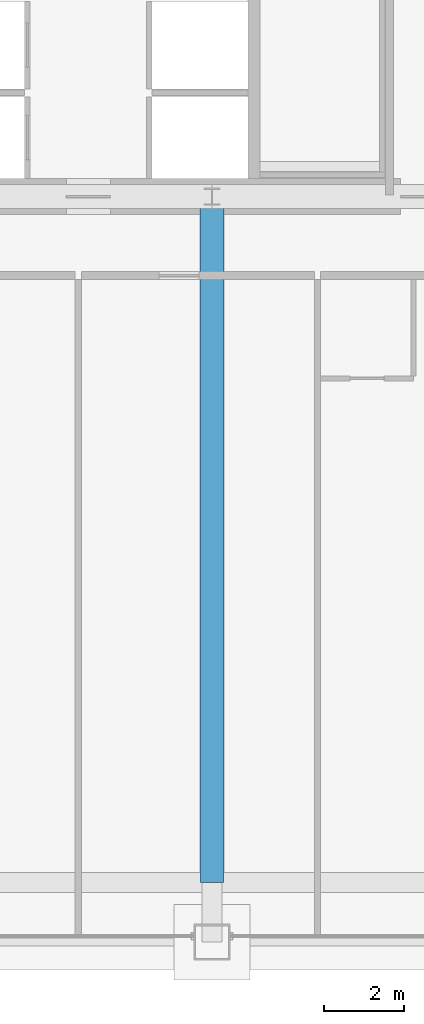
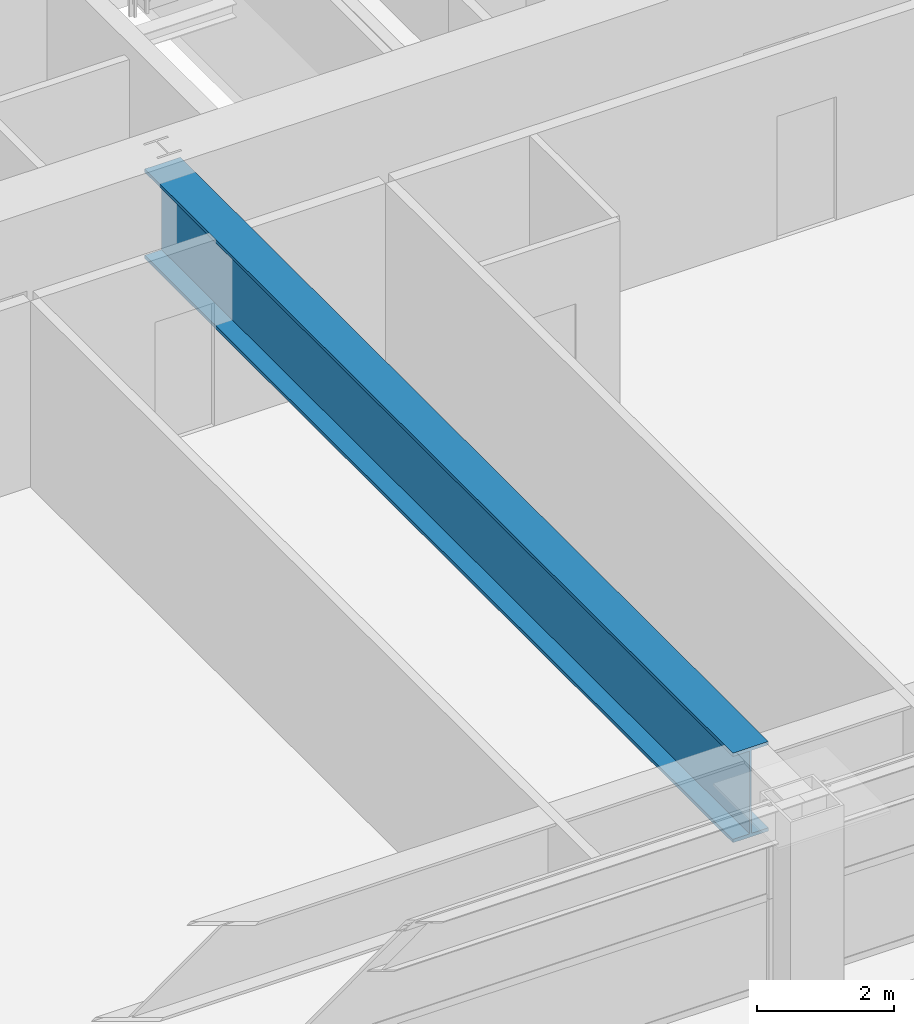
# One storey, part 8 of 44: 1 beam.
"""IFC4 building model written with IfcOpenShell, lengths in metres."""

from ifc_helpers import new_model, si_unit, direction, frame, origin, origin_2d, place, context, subcontext, project, spatial, i_section, extrude, source, transform, mapped, material, material_profile, profile_set, type_object, element, save


model = new_model("IFC4")

# Units and contexts
model_context = context("Model", 3, precision=1e-05, world=origin(), true_north=direction((0.0, 1.0)))
body_context = subcontext(model_context, "Body", "Model", "MODEL_VIEW")
ifc_project = project(units=[si_unit("LENGTHUNIT", "METRE"), si_unit("AREAUNIT", "SQUARE_METRE"), si_unit("VOLUMEUNIT", "CUBIC_METRE"), si_unit("PLANEANGLEUNIT", "RADIAN"), si_unit("MASSUNIT", "GRAM", prefix="KILO"), si_unit("THERMODYNAMICTEMPERATUREUNIT", "KELVIN"), si_unit("POWERUNIT", "WATT")], contexts=[model_context])

# Site, building, storey
site_placement = place(None, origin())
site = spatial("IfcSite", under=ifc_project, at=site_placement, CompositionType="ELEMENT")
building_placement = place(site_placement, origin())
building = spatial("IfcBuilding", under=site, at=building_placement, Name="Yuzanri Waterfront Tower", CompositionType="ELEMENT")
storey_placement = place(building_placement, frame((0.0, 0.0, 82.0)))
storey = spatial("IfcBuildingStorey", under=building, at=storey_placement, Name="L21", CompositionType="ELEMENT", Elevation=82.0)

# Beam
ifc_material = material(Name="Steel Q420GJC", Category="steel")
ifc_material_profile = material_profile(ifc_material, i_section(OverallWidth=0.60009765625, OverallDepth=1.60009765625, WebThickness=0.031982421875, FlangeThickness=0.06005859375, at=origin_2d()), Name="PG 1600x600x32x60")
ifc_profile_set = profile_set([ifc_material_profile], Name="Steel Q420GJC")
beam_type = type_object("IfcBeamType", Name="Ballroom Transfer Girder Q420GJC PG 1600x600", PredefinedType="USERDEFINED", material=ifc_profile_set)
shared_shape = source(origin(), body_context, "Body", "SweptSolid", [
    extrude(i_section(OverallWidth=0.60009765625, OverallDepth=1.60009765625, WebThickness=0.031982421875, FlangeThickness=0.06005859375, at=origin_2d()), origin(), (0.0, 0.0, 1.0), 17.199951171875),
])
beam_placement = place(storey_placement, frame((37.0, 19.39990234375, 2.52001953125), z_axis=(0.0, -1.0, 0.0), x_axis=(1.0, 0.0, 0.0)))
element("IfcBeam", 1, at=beam_placement, inside=storey, type_object=beam_type, Name="L21 Setback Inner Transfer S2", ObjectType="GIRDER", PredefinedType="USERDEFINED", context=body_context, shape_type="MappedRepresentation", body=[
    mapped(shared_shape, transform((0.0, 0.0, 0.0), scale=1.0)),
])

save(model, "model.ifc")
